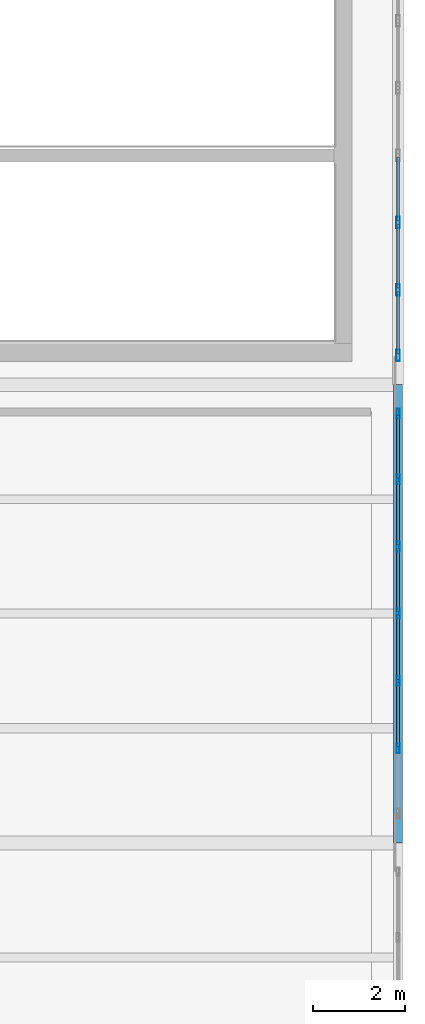
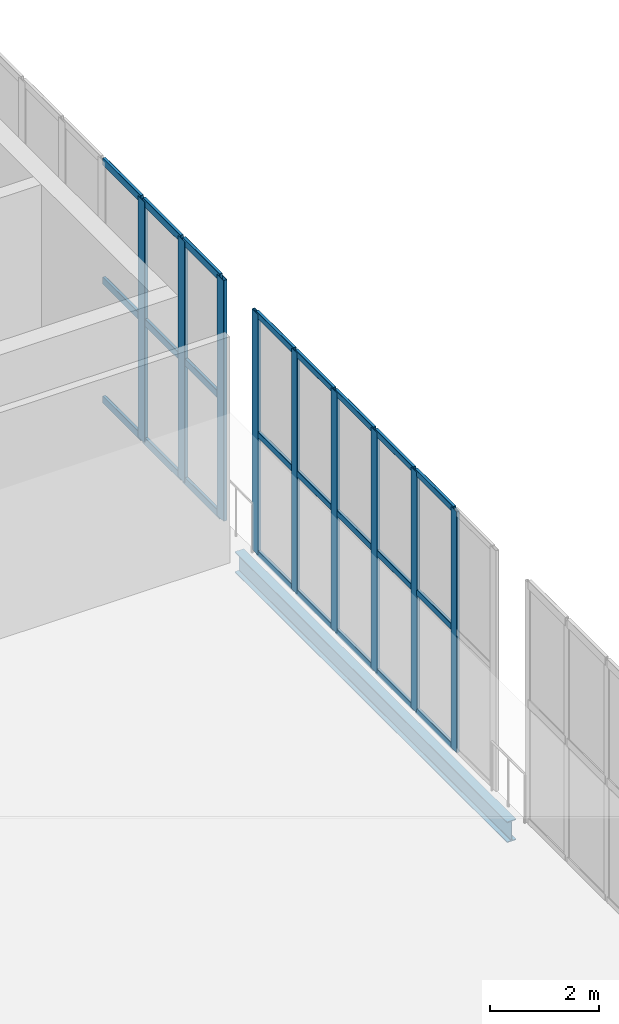
# One storey, part 36 of 74: 33 members, 1 beam, 2 elements without a shape of their own.
"""IFC4 building model written with IfcOpenShell, lengths in metres."""

from ifc_helpers import new_model, si_unit, direction, frame, origin, origin_2d, place, context, subcontext, project, spatial, hollow_rectangle, i_section, extrude, material, layer, layer_set, material_profile, profile_set, type_object, element, aggregate, save


model = new_model("IFC4")

# Units and contexts
model_context = context("Model", 3, precision=1e-05, world=origin(), true_north=direction((0.0, 1.0)))
body_context = subcontext(model_context, "Body", "Model", "MODEL_VIEW")
ifc_project = project(units=[si_unit("LENGTHUNIT", "METRE"), si_unit("AREAUNIT", "SQUARE_METRE"), si_unit("VOLUMEUNIT", "CUBIC_METRE"), si_unit("PLANEANGLEUNIT", "RADIAN"), si_unit("MASSUNIT", "GRAM", prefix="KILO")], contexts=[model_context])

# Site, building, storey
site_placement = place(None, origin())
site = spatial("IfcSite", under=ifc_project, at=site_placement, CompositionType="ELEMENT")
building_placement = place(site_placement, origin())
building = spatial("IfcBuilding", under=site, at=building_placement, Name="Brinegate Civic Arena", CompositionType="ELEMENT")
storey_placement = place(building_placement, frame((0.0, 0.0, 19.199951171875)))
storey = spatial("IfcBuildingStorey", under=building, at=storey_placement, Name="L04", CompositionType="ELEMENT", Elevation=19.199951171875)

# Curtain wall, members
ifc_material_1 = material(Name="Marine grade aluminium", Category="aluminium")
ifc_layer = layer(ifc_material_1, 0.199951171875, Name="Marine grade aluminium")
ifc_layer_set = layer_set([ifc_layer], Name="Marine grade aluminium")
curtain_wall_type = type_object("IfcCurtainWallType", Name="CW-BOWL-GLAZED-01", PredefinedType="USERDEFINED", material=ifc_layer_set)
curtain_wall_1_placement = place(storey_placement, origin())
curtain_wall_1 = element("IfcCurtainWall", 1, at=curtain_wall_1_placement, inside=storey, type_object=curtain_wall_type, Name="Curtain Wall CWA-139", ObjectType="GLAZED CURTAIN WALL", PredefinedType="USERDEFINED")
ifc_material_profile_1 = material_profile(ifc_material_1, hollow_rectangle(XDim=0.06494140625, YDim=0.219970703125, WallThickness=0.006103515625, InnerFilletRadius=0.00390625, OuterFilletRadius=0.008056640625, at=origin_2d()), Name="MUL65X220")
ifc_profile_set_1 = profile_set([ifc_material_profile_1], Name="Marine grade aluminium")
member_type_1 = type_object("IfcMemberType", Name="CW-MULLION-65X220", PredefinedType="MULLION", material=ifc_profile_set_1)
member_1_placement = place(storey_placement, frame((168.0, 64.066650390625, 0.0), z_axis=(0.0, 0.0, 1.0), x_axis=(-1.0, 0.0, 0.0)))
member_1 = element("IfcMember", 2, at=member_1_placement, type_object=member_type_1, Name="CWA-139 mullion 2", PredefinedType="MULLION", context=body_context, shape_type="SweptSolid", body=[
    extrude(hollow_rectangle(XDim=0.06494140625, YDim=0.219970703125, WallThickness=0.006103515625, InnerFilletRadius=0.00390625, OuterFilletRadius=0.008056640625, at=origin_2d()), origin(), (0.0, 0.0, 1.0), 5.400146484375),
])
member_2_placement = place(storey_placement, frame((168.0, 65.533447265625, 0.0), z_axis=(0.0, 0.0, 1.0), x_axis=(-1.0, 0.0, 0.0)))
member_2 = element("IfcMember", 3, at=member_2_placement, type_object=member_type_1, Name="CWA-139 mullion 3", PredefinedType="MULLION", context=body_context, shape_type="SweptSolid", body=[
    extrude(hollow_rectangle(XDim=0.06494140625, YDim=0.219970703125, WallThickness=0.006103515625, InnerFilletRadius=0.00390625, OuterFilletRadius=0.008056640625, at=origin_2d()), origin(), (0.0, 0.0, 1.0), 5.400146484375),
])
member_3_placement = place(storey_placement, frame((168.0, 67.0, 0.0), z_axis=(0.0, 0.0, 1.0), x_axis=(-1.0, 0.0, 0.0)))
member_3 = element("IfcMember", 4, at=member_3_placement, type_object=member_type_1, Name="CWA-139 mullion 4", PredefinedType="MULLION", context=body_context, shape_type="SweptSolid", body=[
    extrude(hollow_rectangle(XDim=0.06494140625, YDim=0.219970703125, WallThickness=0.006103515625, InnerFilletRadius=0.00390625, OuterFilletRadius=0.008056640625, at=origin_2d()), origin(), (0.0, 0.0, 1.0), 5.400146484375),
])
member_4_placement = place(storey_placement, frame((168.0, 68.466552734375, 0.0), z_axis=(0.0, 0.0, 1.0), x_axis=(-1.0, 0.0, 0.0)))
member_4 = element("IfcMember", 5, at=member_4_placement, type_object=member_type_1, Name="CWA-139 mullion 5", PredefinedType="MULLION", context=body_context, shape_type="SweptSolid", body=[
    extrude(hollow_rectangle(XDim=0.06494140625, YDim=0.219970703125, WallThickness=0.006103515625, InnerFilletRadius=0.00390625, OuterFilletRadius=0.008056640625, at=origin_2d()), origin(), (0.0, 0.0, 1.0), 5.400146484375),
])
member_5_placement = place(storey_placement, frame((168.0, 69.933349609375, 0.0), z_axis=(0.0, 0.0, 1.0), x_axis=(-1.0, 0.0, 0.0)))
member_5 = element("IfcMember", 6, at=member_5_placement, type_object=member_type_1, Name="CWA-139 mullion 6", PredefinedType="MULLION", context=body_context, shape_type="SweptSolid", body=[
    extrude(hollow_rectangle(XDim=0.06494140625, YDim=0.219970703125, WallThickness=0.006103515625, InnerFilletRadius=0.00390625, OuterFilletRadius=0.008056640625, at=origin_2d()), origin(), (0.0, 0.0, 1.0), 5.400146484375),
])
member_6_placement = place(storey_placement, frame((168.0, 71.367431640625, 0.0), z_axis=(0.0, 0.0, 1.0), x_axis=(-1.0, 0.0, 0.0)))
member_6 = element("IfcMember", 7, at=member_6_placement, type_object=member_type_1, Name="CWA-139 mullion 7", PredefinedType="MULLION", context=body_context, shape_type="SweptSolid", body=[
    extrude(hollow_rectangle(XDim=0.06494140625, YDim=0.219970703125, WallThickness=0.006103515625, InnerFilletRadius=0.00390625, OuterFilletRadius=0.008056640625, at=origin_2d()), origin(), (0.0, 0.0, 1.0), 5.400146484375),
])

curtain_wall_2_placement = place(storey_placement, origin())
curtain_wall_2 = element("IfcCurtainWall", 8, at=curtain_wall_2_placement, inside=storey, type_object=curtain_wall_type, Name="Curtain Wall CWA-140", ObjectType="GLAZED CURTAIN WALL", PredefinedType="USERDEFINED")
ifc_material_profile_2 = material_profile(ifc_material_1, hollow_rectangle(XDim=0.074951171875, YDim=0.25, WallThickness=0.006103515625, InnerFilletRadius=0.00390625, OuterFilletRadius=0.008056640625, at=origin_2d()), Name="MUL75X250")
ifc_profile_set_2 = profile_set([ifc_material_profile_2], Name="Marine grade aluminium")
member_type_2 = type_object("IfcMemberType", Name="CW-MULLION-75X250", PredefinedType="MULLION", material=ifc_profile_set_2)
member_7_placement = place(storey_placement, frame((168.0, 72.637451171875, 0.0), z_axis=(0.0, 0.0, 1.0), x_axis=(-1.0, 0.0, 0.0)))
member_7 = element("IfcMember", 9, at=member_7_placement, type_object=member_type_2, Name="CWA-140 mullion 1", PredefinedType="MULLION", context=body_context, shape_type="SweptSolid", body=[
    extrude(hollow_rectangle(XDim=0.074951171875, YDim=0.25, WallThickness=0.006103515625, InnerFilletRadius=0.00390625, OuterFilletRadius=0.008056640625, at=origin_2d()), origin(), (0.0, 0.0, 1.0), 5.400146484375),
])
member_8_placement = place(storey_placement, frame((168.0, 74.066650390625, 0.0), z_axis=(0.0, 0.0, 1.0), x_axis=(-1.0, 0.0, 0.0)))
member_8 = element("IfcMember", 10, at=member_8_placement, type_object=member_type_2, Name="CWA-140 mullion 2", PredefinedType="MULLION", context=body_context, shape_type="SweptSolid", body=[
    extrude(hollow_rectangle(XDim=0.074951171875, YDim=0.25, WallThickness=0.006103515625, InnerFilletRadius=0.00390625, OuterFilletRadius=0.008056640625, at=origin_2d()), origin(), (0.0, 0.0, 1.0), 5.400146484375),
])
member_9_placement = place(storey_placement, frame((168.0, 75.533447265625, 0.0), z_axis=(0.0, 0.0, 1.0), x_axis=(-1.0, 0.0, 0.0)))
member_9 = element("IfcMember", 11, at=member_9_placement, type_object=member_type_2, Name="CWA-140 mullion 3", PredefinedType="MULLION", context=body_context, shape_type="SweptSolid", body=[
    extrude(hollow_rectangle(XDim=0.074951171875, YDim=0.25, WallThickness=0.006103515625, InnerFilletRadius=0.00390625, OuterFilletRadius=0.008056640625, at=origin_2d()), origin(), (0.0, 0.0, 1.0), 5.400146484375),
])

# Member
ifc_material_profile_3 = material_profile(ifc_material_1, hollow_rectangle(XDim=0.06494140625, YDim=0.139892578125, WallThickness=0.0048828125, InnerFilletRadius=0.00390625, OuterFilletRadius=0.008056640625, at=origin_2d()), Name="TRN65X140")
ifc_profile_set_3 = profile_set([ifc_material_profile_3], Name="Marine grade aluminium")
member_type_3 = type_object("IfcMemberType", Name="CW-TRANSOM-65X140", PredefinedType="USERDEFINED", material=ifc_profile_set_3)
member_10_placement = place(storey_placement, frame((168.0, 64.09912109375, 0.032470703125), z_axis=(0.0, 1.0, 0.0), x_axis=(-1.0, 0.0, 0.0)))
member_10 = element("IfcMember", 12, at=member_10_placement, type_object=member_type_3, Name="CWA-139 transom 2.1", ObjectType="TRANSOM", PredefinedType="USERDEFINED", context=body_context, shape_type="SweptSolid", body=[
    extrude(hollow_rectangle(XDim=0.06494140625, YDim=0.139892578125, WallThickness=0.0048828125, InnerFilletRadius=0.00390625, OuterFilletRadius=0.008056640625, at=origin_2d()), origin(), (0.0, 0.0, 1.0), 1.401611328125),
])

member_11_placement = place(storey_placement, frame((168.0, 64.09912109375, 2.699951171875), z_axis=(0.0, 1.0, 0.0), x_axis=(-1.0, 0.0, 0.0)))
member_11 = element("IfcMember", 13, at=member_11_placement, type_object=member_type_3, Name="CWA-139 transom 2.2", ObjectType="TRANSOM", PredefinedType="USERDEFINED", context=body_context, shape_type="SweptSolid", body=[
    extrude(hollow_rectangle(XDim=0.06494140625, YDim=0.139892578125, WallThickness=0.0048828125, InnerFilletRadius=0.00390625, OuterFilletRadius=0.008056640625, at=origin_2d()), origin(), (0.0, 0.0, 1.0), 1.401611328125),
])

member_12_placement = place(storey_placement, frame((168.0, 64.09912109375, 5.367431640625), z_axis=(0.0, 1.0, 0.0), x_axis=(-1.0, 0.0, 0.0)))
member_12 = element("IfcMember", 14, at=member_12_placement, type_object=member_type_3, Name="CWA-139 transom 2.3", ObjectType="TRANSOM", PredefinedType="USERDEFINED", context=body_context, shape_type="SweptSolid", body=[
    extrude(hollow_rectangle(XDim=0.06494140625, YDim=0.139892578125, WallThickness=0.0048828125, InnerFilletRadius=0.00390625, OuterFilletRadius=0.008056640625, at=origin_2d()), origin(), (0.0, 0.0, 1.0), 1.401611328125),
])

member_13_placement = place(storey_placement, frame((168.0, 65.56591796875, 0.032470703125), z_axis=(0.0, 1.0, 0.0), x_axis=(-1.0, 0.0, 0.0)))
member_13 = element("IfcMember", 15, at=member_13_placement, type_object=member_type_3, Name="CWA-139 transom 3.1", ObjectType="TRANSOM", PredefinedType="USERDEFINED", context=body_context, shape_type="SweptSolid", body=[
    extrude(hollow_rectangle(XDim=0.06494140625, YDim=0.139892578125, WallThickness=0.0048828125, InnerFilletRadius=0.00390625, OuterFilletRadius=0.008056640625, at=origin_2d()), origin(), (0.0, 0.0, 1.0), 1.401611328125),
])

member_14_placement = place(storey_placement, frame((168.0, 65.56591796875, 2.699951171875), z_axis=(0.0, 1.0, 0.0), x_axis=(-1.0, 0.0, 0.0)))
member_14 = element("IfcMember", 16, at=member_14_placement, type_object=member_type_3, Name="CWA-139 transom 3.2", ObjectType="TRANSOM", PredefinedType="USERDEFINED", context=body_context, shape_type="SweptSolid", body=[
    extrude(hollow_rectangle(XDim=0.06494140625, YDim=0.139892578125, WallThickness=0.0048828125, InnerFilletRadius=0.00390625, OuterFilletRadius=0.008056640625, at=origin_2d()), origin(), (0.0, 0.0, 1.0), 1.401611328125),
])

member_15_placement = place(storey_placement, frame((168.0, 65.56591796875, 5.367431640625), z_axis=(0.0, 1.0, 0.0), x_axis=(-1.0, 0.0, 0.0)))
member_15 = element("IfcMember", 17, at=member_15_placement, type_object=member_type_3, Name="CWA-139 transom 3.3", ObjectType="TRANSOM", PredefinedType="USERDEFINED", context=body_context, shape_type="SweptSolid", body=[
    extrude(hollow_rectangle(XDim=0.06494140625, YDim=0.139892578125, WallThickness=0.0048828125, InnerFilletRadius=0.00390625, OuterFilletRadius=0.008056640625, at=origin_2d()), origin(), (0.0, 0.0, 1.0), 1.401611328125),
])

member_16_placement = place(storey_placement, frame((168.0, 67.032470703125, 0.032470703125), z_axis=(0.0, 1.0, 0.0), x_axis=(-1.0, 0.0, 0.0)))
member_16 = element("IfcMember", 18, at=member_16_placement, type_object=member_type_3, Name="CWA-139 transom 4.1", ObjectType="TRANSOM", PredefinedType="USERDEFINED", context=body_context, shape_type="SweptSolid", body=[
    extrude(hollow_rectangle(XDim=0.06494140625, YDim=0.139892578125, WallThickness=0.0048828125, InnerFilletRadius=0.00390625, OuterFilletRadius=0.008056640625, at=origin_2d()), origin(), (0.0, 0.0, 1.0), 1.401611328125),
])

member_17_placement = place(storey_placement, frame((168.0, 67.032470703125, 2.699951171875), z_axis=(0.0, 1.0, 0.0), x_axis=(-1.0, 0.0, 0.0)))
member_17 = element("IfcMember", 19, at=member_17_placement, type_object=member_type_3, Name="CWA-139 transom 4.2", ObjectType="TRANSOM", PredefinedType="USERDEFINED", context=body_context, shape_type="SweptSolid", body=[
    extrude(hollow_rectangle(XDim=0.06494140625, YDim=0.139892578125, WallThickness=0.0048828125, InnerFilletRadius=0.00390625, OuterFilletRadius=0.008056640625, at=origin_2d()), origin(), (0.0, 0.0, 1.0), 1.401611328125),
])

member_18_placement = place(storey_placement, frame((168.0, 67.032470703125, 5.367431640625), z_axis=(0.0, 1.0, 0.0), x_axis=(-1.0, 0.0, 0.0)))
member_18 = element("IfcMember", 20, at=member_18_placement, type_object=member_type_3, Name="CWA-139 transom 4.3", ObjectType="TRANSOM", PredefinedType="USERDEFINED", context=body_context, shape_type="SweptSolid", body=[
    extrude(hollow_rectangle(XDim=0.06494140625, YDim=0.139892578125, WallThickness=0.0048828125, InnerFilletRadius=0.00390625, OuterFilletRadius=0.008056640625, at=origin_2d()), origin(), (0.0, 0.0, 1.0), 1.401611328125),
])

member_19_placement = place(storey_placement, frame((168.0, 68.499267578125, 0.032470703125), z_axis=(0.0, 1.0, 0.0), x_axis=(-1.0, 0.0, 0.0)))
member_19 = element("IfcMember", 21, at=member_19_placement, type_object=member_type_3, Name="CWA-139 transom 5.1", ObjectType="TRANSOM", PredefinedType="USERDEFINED", context=body_context, shape_type="SweptSolid", body=[
    extrude(hollow_rectangle(XDim=0.06494140625, YDim=0.139892578125, WallThickness=0.0048828125, InnerFilletRadius=0.00390625, OuterFilletRadius=0.008056640625, at=origin_2d()), origin(), (0.0, 0.0, 1.0), 1.401611328125),
])

member_20_placement = place(storey_placement, frame((168.0, 68.499267578125, 2.699951171875), z_axis=(0.0, 1.0, 0.0), x_axis=(-1.0, 0.0, 0.0)))
member_20 = element("IfcMember", 22, at=member_20_placement, type_object=member_type_3, Name="CWA-139 transom 5.2", ObjectType="TRANSOM", PredefinedType="USERDEFINED", context=body_context, shape_type="SweptSolid", body=[
    extrude(hollow_rectangle(XDim=0.06494140625, YDim=0.139892578125, WallThickness=0.0048828125, InnerFilletRadius=0.00390625, OuterFilletRadius=0.008056640625, at=origin_2d()), origin(), (0.0, 0.0, 1.0), 1.401611328125),
])

member_21_placement = place(storey_placement, frame((168.0, 68.499267578125, 5.367431640625), z_axis=(0.0, 1.0, 0.0), x_axis=(-1.0, 0.0, 0.0)))
member_21 = element("IfcMember", 23, at=member_21_placement, type_object=member_type_3, Name="CWA-139 transom 5.3", ObjectType="TRANSOM", PredefinedType="USERDEFINED", context=body_context, shape_type="SweptSolid", body=[
    extrude(hollow_rectangle(XDim=0.06494140625, YDim=0.139892578125, WallThickness=0.0048828125, InnerFilletRadius=0.00390625, OuterFilletRadius=0.008056640625, at=origin_2d()), origin(), (0.0, 0.0, 1.0), 1.401611328125),
])

member_22_placement = place(storey_placement, frame((168.0, 69.9658203125, 0.032470703125), z_axis=(0.0, 1.0, 0.0), x_axis=(-1.0, 0.0, 0.0)))
member_22 = element("IfcMember", 24, at=member_22_placement, type_object=member_type_3, Name="CWA-139 transom 6.1", ObjectType="TRANSOM", PredefinedType="USERDEFINED", context=body_context, shape_type="SweptSolid", body=[
    extrude(hollow_rectangle(XDim=0.06494140625, YDim=0.139892578125, WallThickness=0.0048828125, InnerFilletRadius=0.00390625, OuterFilletRadius=0.008056640625, at=origin_2d()), origin(), (0.0, 0.0, 1.0), 1.369140625),
])

member_23_placement = place(storey_placement, frame((168.0, 69.9658203125, 2.699951171875), z_axis=(0.0, 1.0, 0.0), x_axis=(-1.0, 0.0, 0.0)))
member_23 = element("IfcMember", 25, at=member_23_placement, type_object=member_type_3, Name="CWA-139 transom 6.2", ObjectType="TRANSOM", PredefinedType="USERDEFINED", context=body_context, shape_type="SweptSolid", body=[
    extrude(hollow_rectangle(XDim=0.06494140625, YDim=0.139892578125, WallThickness=0.0048828125, InnerFilletRadius=0.00390625, OuterFilletRadius=0.008056640625, at=origin_2d()), origin(), (0.0, 0.0, 1.0), 1.369140625),
])

member_24_placement = place(storey_placement, frame((168.0, 69.9658203125, 5.367431640625), z_axis=(0.0, 1.0, 0.0), x_axis=(-1.0, 0.0, 0.0)))
member_24 = element("IfcMember", 26, at=member_24_placement, type_object=member_type_3, Name="CWA-139 transom 6.3", ObjectType="TRANSOM", PredefinedType="USERDEFINED", context=body_context, shape_type="SweptSolid", body=[
    extrude(hollow_rectangle(XDim=0.06494140625, YDim=0.139892578125, WallThickness=0.0048828125, InnerFilletRadius=0.00390625, OuterFilletRadius=0.008056640625, at=origin_2d()), origin(), (0.0, 0.0, 1.0), 1.369140625),
])

aggregate(curtain_wall_1, [member_1, member_2, member_3, member_4, member_5, member_6, member_10, member_11, member_12, member_13, member_14, member_15, member_16, member_17, member_18, member_19, member_20, member_21, member_22, member_23, member_24])

ifc_material_profile_4 = material_profile(ifc_material_1, hollow_rectangle(XDim=0.06494140625, YDim=0.1650390625, WallThickness=0.0048828125, InnerFilletRadius=0.00390625, OuterFilletRadius=0.008056640625, at=origin_2d()), Name="TRN65X165")
ifc_profile_set_4 = profile_set([ifc_material_profile_4], Name="Marine grade aluminium")
member_type_4 = type_object("IfcMemberType", Name="CW-TRANSOM-65X165", PredefinedType="USERDEFINED", material=ifc_profile_set_4)
member_25_placement = place(storey_placement, frame((168.0, 72.675048828125, 0.032470703125), z_axis=(0.0, 1.0, 0.0), x_axis=(-1.0, 0.0, 0.0)))
member_25 = element("IfcMember", 27, at=member_25_placement, type_object=member_type_4, Name="CWA-140 transom 1.1", ObjectType="TRANSOM", PredefinedType="USERDEFINED", context=body_context, shape_type="SweptSolid", body=[
    extrude(hollow_rectangle(XDim=0.06494140625, YDim=0.1650390625, WallThickness=0.0048828125, InnerFilletRadius=0.00390625, OuterFilletRadius=0.008056640625, at=origin_2d()), origin(), (0.0, 0.0, 1.0), 1.35400390625),
])

member_26_placement = place(storey_placement, frame((168.0, 72.675048828125, 2.699951171875), z_axis=(0.0, 1.0, 0.0), x_axis=(-1.0, 0.0, 0.0)))
member_26 = element("IfcMember", 28, at=member_26_placement, type_object=member_type_4, Name="CWA-140 transom 1.2", ObjectType="TRANSOM", PredefinedType="USERDEFINED", context=body_context, shape_type="SweptSolid", body=[
    extrude(hollow_rectangle(XDim=0.06494140625, YDim=0.1650390625, WallThickness=0.0048828125, InnerFilletRadius=0.00390625, OuterFilletRadius=0.008056640625, at=origin_2d()), origin(), (0.0, 0.0, 1.0), 1.35400390625),
])

member_27_placement = place(storey_placement, frame((168.0, 72.675048828125, 5.367431640625), z_axis=(0.0, 1.0, 0.0), x_axis=(-1.0, 0.0, 0.0)))
member_27 = element("IfcMember", 29, at=member_27_placement, type_object=member_type_4, Name="CWA-140 transom 1.3", ObjectType="TRANSOM", PredefinedType="USERDEFINED", context=body_context, shape_type="SweptSolid", body=[
    extrude(hollow_rectangle(XDim=0.06494140625, YDim=0.1650390625, WallThickness=0.0048828125, InnerFilletRadius=0.00390625, OuterFilletRadius=0.008056640625, at=origin_2d()), origin(), (0.0, 0.0, 1.0), 1.35400390625),
])

member_28_placement = place(storey_placement, frame((168.0, 74.104248046875, 0.032470703125), z_axis=(0.0, 1.0, 0.0), x_axis=(-1.0, 0.0, 0.0)))
member_28 = element("IfcMember", 30, at=member_28_placement, type_object=member_type_4, Name="CWA-140 transom 2.1", ObjectType="TRANSOM", PredefinedType="USERDEFINED", context=body_context, shape_type="SweptSolid", body=[
    extrude(hollow_rectangle(XDim=0.06494140625, YDim=0.1650390625, WallThickness=0.0048828125, InnerFilletRadius=0.00390625, OuterFilletRadius=0.008056640625, at=origin_2d()), origin(), (0.0, 0.0, 1.0), 1.3916015625),
])

member_29_placement = place(storey_placement, frame((168.0, 74.104248046875, 2.699951171875), z_axis=(0.0, 1.0, 0.0), x_axis=(-1.0, 0.0, 0.0)))
member_29 = element("IfcMember", 31, at=member_29_placement, type_object=member_type_4, Name="CWA-140 transom 2.2", ObjectType="TRANSOM", PredefinedType="USERDEFINED", context=body_context, shape_type="SweptSolid", body=[
    extrude(hollow_rectangle(XDim=0.06494140625, YDim=0.1650390625, WallThickness=0.0048828125, InnerFilletRadius=0.00390625, OuterFilletRadius=0.008056640625, at=origin_2d()), origin(), (0.0, 0.0, 1.0), 1.3916015625),
])

member_30_placement = place(storey_placement, frame((168.0, 74.104248046875, 5.367431640625), z_axis=(0.0, 1.0, 0.0), x_axis=(-1.0, 0.0, 0.0)))
member_30 = element("IfcMember", 32, at=member_30_placement, type_object=member_type_4, Name="CWA-140 transom 2.3", ObjectType="TRANSOM", PredefinedType="USERDEFINED", context=body_context, shape_type="SweptSolid", body=[
    extrude(hollow_rectangle(XDim=0.06494140625, YDim=0.1650390625, WallThickness=0.0048828125, InnerFilletRadius=0.00390625, OuterFilletRadius=0.008056640625, at=origin_2d()), origin(), (0.0, 0.0, 1.0), 1.3916015625),
])

member_31_placement = place(storey_placement, frame((168.0, 75.57080078125, 0.032470703125), z_axis=(0.0, 1.0, 0.0), x_axis=(-1.0, 0.0, 0.0)))
member_31 = element("IfcMember", 33, at=member_31_placement, type_object=member_type_4, Name="CWA-140 transom 3.1", ObjectType="TRANSOM", PredefinedType="USERDEFINED", context=body_context, shape_type="SweptSolid", body=[
    extrude(hollow_rectangle(XDim=0.06494140625, YDim=0.1650390625, WallThickness=0.0048828125, InnerFilletRadius=0.00390625, OuterFilletRadius=0.008056640625, at=origin_2d()), origin(), (0.0, 0.0, 1.0), 1.3916015625),
])

member_32_placement = place(storey_placement, frame((168.0, 75.57080078125, 2.699951171875), z_axis=(0.0, 1.0, 0.0), x_axis=(-1.0, 0.0, 0.0)))
member_32 = element("IfcMember", 34, at=member_32_placement, type_object=member_type_4, Name="CWA-140 transom 3.2", ObjectType="TRANSOM", PredefinedType="USERDEFINED", context=body_context, shape_type="SweptSolid", body=[
    extrude(hollow_rectangle(XDim=0.06494140625, YDim=0.1650390625, WallThickness=0.0048828125, InnerFilletRadius=0.00390625, OuterFilletRadius=0.008056640625, at=origin_2d()), origin(), (0.0, 0.0, 1.0), 1.3916015625),
])

member_33_placement = place(storey_placement, frame((168.0, 75.57080078125, 5.367431640625), z_axis=(0.0, 1.0, 0.0), x_axis=(-1.0, 0.0, 0.0)))
member_33 = element("IfcMember", 35, at=member_33_placement, type_object=member_type_4, Name="CWA-140 transom 3.3", ObjectType="TRANSOM", PredefinedType="USERDEFINED", context=body_context, shape_type="SweptSolid", body=[
    extrude(hollow_rectangle(XDim=0.06494140625, YDim=0.1650390625, WallThickness=0.0048828125, InnerFilletRadius=0.00390625, OuterFilletRadius=0.008056640625, at=origin_2d()), origin(), (0.0, 0.0, 1.0), 1.3916015625),
])

aggregate(curtain_wall_2, [member_7, member_8, member_9, member_25, member_26, member_27, member_28, member_29, member_30, member_31, member_32, member_33])

# Beam
ifc_material_2 = material(Name="Steel S355", Category="steel")
ifc_material_profile_5 = material_profile(ifc_material_2, i_section(OverallWidth=0.193115234375, OverallDepth=0.466064453125, WebThickness=0.010986328125, FlangeThickness=0.01904296875, FilletRadius=0.014892578125, at=origin_2d()), Name="W460X97")
ifc_profile_set_5 = profile_set([ifc_material_profile_5], Name="Steel S355")
beam_type = type_object("IfcBeamType", Name="SPANDREL-W460X97", PredefinedType="SPANDREL", material=ifc_profile_set_5)
beam_placement = place(storey_placement, frame((168.0, 62.0, -0.572998046875), z_axis=(0.0, 1.0, 0.0), x_axis=(-1.0, 0.0, 0.0)))
element("IfcBeam", 36, at=beam_placement, inside=storey, type_object=beam_type, Name="Floor Girder BM-L04-GY-14-06", PredefinedType="SPANDREL", context=body_context, shape_type="SweptSolid", body=[
    extrude(i_section(OverallWidth=0.193115234375, OverallDepth=0.466064453125, WebThickness=0.010986328125, FlangeThickness=0.01904296875, FilletRadius=0.014892578125, at=origin_2d()), origin(), (0.0, 0.0, 1.0), 10.0),
])

save(model, "model.ifc")
